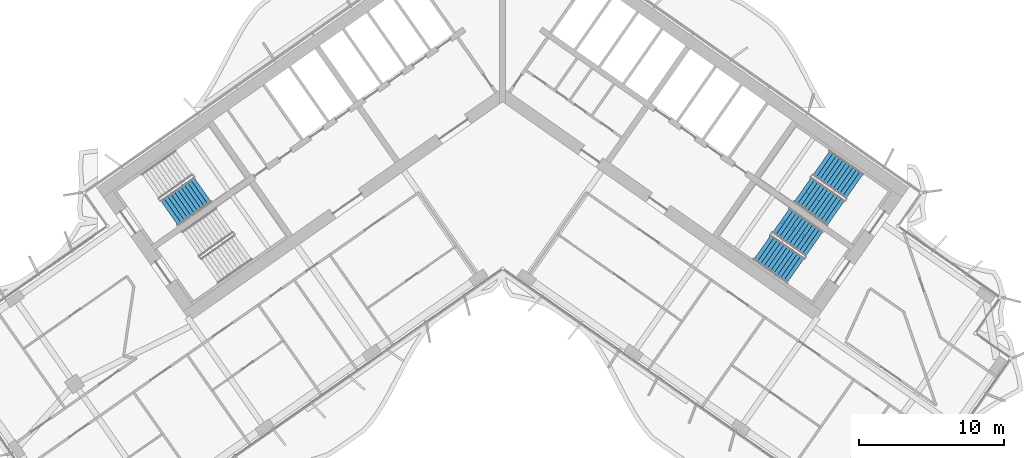
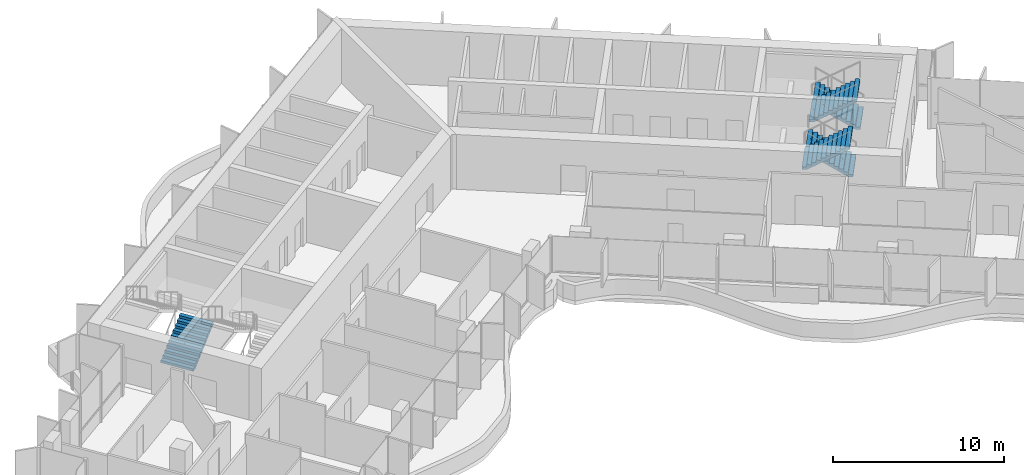
# One storey, part 18 of 23: 5 stair flights, 3 elements without a shape of their own.
"""IFC4 building model written with IfcOpenShell, lengths in metres."""

from ifc_helpers import new_model, si_unit, direction, frame, origin, place, context, subcontext, project, spatial, polyline, outline, extrude, material, type_object, element, aggregate, save


model = new_model("IFC4")

# Units and contexts
model_context = context("Model", 3, precision=1e-05, world=origin(), true_north=direction((0.0, 1.0)))
body_context = subcontext(model_context, "Body", "Model", "MODEL_VIEW")
ifc_project = project(units=[si_unit("LENGTHUNIT", "METRE"), si_unit("AREAUNIT", "SQUARE_METRE"), si_unit("VOLUMEUNIT", "CUBIC_METRE"), si_unit("PLANEANGLEUNIT", "RADIAN"), si_unit("MASSUNIT", "GRAM", prefix="KILO")], contexts=[model_context])

# Site, building, storey
site_placement = place(None, origin())
site = spatial("IfcSite", under=ifc_project, at=site_placement, CompositionType="ELEMENT")
building_placement = place(site_placement, origin())
building = spatial("IfcBuilding", under=site, at=building_placement, Name="Tel Ilan Convention Tower", CompositionType="ELEMENT")
storey_placement = place(building_placement, frame((0.0, 0.0, 194.39990234375)))
storey = spatial("IfcBuildingStorey", under=building, at=storey_placement, Name="L45", CompositionType="ELEMENT", Elevation=194.39990234375)

# Stair, stair flight
ifc_material_1 = material(Name="Concrete C40/50", Category="concrete")
stair_type = type_object("IfcStairType", Name="Pressurised Exit Stair 22 risers 177 mm", PredefinedType="HALF_TURN_STAIR", material=ifc_material_1)
stair_1_placement = place(storey_placement, origin())
stair_1 = element("IfcStair", 1, at=stair_1_placement, inside=storey, type_object=stair_type, Name="L45 Pressurised Stair S1", PredefinedType="HALF_TURN_STAIR")
ifc_material_2 = material(Name="Precast Concrete C40/50", Category="concrete")
stair_flight_type = type_object("IfcStairFlightType", Name="Concrete Stair Flight 2100 mm 22 risers 177 mm", PredefinedType="STRAIGHT", material=ifc_material_2)
stair_flight_1_placement = place(storey_placement, frame((-22.9619140625, -8.87548828125, 0.0), z_axis=(0.0, 0.0, 1.0), x_axis=(0.819152044289, 0.573576436351, 0.0)))
stair_flight_1 = element("IfcStairFlight", 2, at=stair_flight_1_placement, type_object=stair_flight_type, Name="S1 flight 1", NumberOfRisers=11, NumberOfTreads=10, PredefinedType="STRAIGHT", RiserHeight=0.177272727, TreadLength=0.28, context=body_context, shape_type="SweptSolid", body=[
    extrude(outline(polyline([(0.0, 0.0), (0.0, 0.17724609375), (0.280029296875, 0.17724609375), (0.280029296875, 0.3544921875), (0.56005859375, 0.3544921875), (0.56005859375, 0.53173828125), (0.840087890625, 0.53173828125), (0.840087890625, 0.708984375), (1.1201171875, 0.708984375), (1.1201171875, 0.886474609375), (1.39990234375, 0.886474609375), (1.39990234375, 1.063720703125), (1.679931640625, 1.063720703125), (1.679931640625, 1.240966796875), (1.9599609375, 1.240966796875), (1.9599609375, 1.418212890625), (2.239990234375, 1.418212890625), (2.239990234375, 1.595458984375), (2.52001953125, 1.595458984375), (2.52001953125, 1.772705078125), (2.800048828125, 1.772705078125), (2.800048828125, 1.949951171875), (2.800048828125, 1.59521484375), (0.2802734375, 0.0), (0.0, 0.0)])), frame((0.0, -0.100341796875, 0.0), z_axis=(0.0, -1.0, 0.0), x_axis=(1.0, 0.0, 0.0)), (0.0, 0.0, 1.0), 0.94970703125),
    extrude(outline(polyline([(0.0, 0.0), (0.0, 0.17724609375), (0.280029296875, 0.17724609375), (0.280029296875, 0.3544921875), (0.56005859375, 0.3544921875), (0.56005859375, 0.53173828125), (0.840087890625, 0.53173828125), (0.840087890625, 0.708984375), (1.1201171875, 0.708984375), (1.1201171875, 0.886474609375), (1.39990234375, 0.886474609375), (1.39990234375, 1.063720703125), (1.679931640625, 1.063720703125), (1.679931640625, 1.240966796875), (1.9599609375, 1.240966796875), (1.9599609375, 1.418212890625), (2.239990234375, 1.418212890625), (2.239990234375, 1.595458984375), (2.52001953125, 1.595458984375), (2.52001953125, 1.772705078125), (2.800048828125, 1.772705078125), (2.800048828125, 1.949951171875), (2.800048828125, 1.59521484375), (0.2802734375, 0.0), (0.0, 0.0)])), frame((0.0, -0.000244140625, 0.0), z_axis=(0.0, -1.0, 0.0), x_axis=(1.0, 0.0, 0.0)), (0.0, 0.0, 1.0), 0.099609375),
    extrude(outline(polyline([(0.0, 0.0), (0.0, 0.17724609375), (0.280029296875, 0.17724609375), (0.280029296875, 0.3544921875), (0.56005859375, 0.3544921875), (0.56005859375, 0.53173828125), (0.840087890625, 0.53173828125), (0.840087890625, 0.708984375), (1.1201171875, 0.708984375), (1.1201171875, 0.886474609375), (1.39990234375, 0.886474609375), (1.39990234375, 1.063720703125), (1.679931640625, 1.063720703125), (1.679931640625, 1.240966796875), (1.9599609375, 1.240966796875), (1.9599609375, 1.418212890625), (2.239990234375, 1.418212890625), (2.239990234375, 1.595458984375), (2.52001953125, 1.595458984375), (2.52001953125, 1.772705078125), (2.800048828125, 1.772705078125), (2.800048828125, 1.949951171875), (2.800048828125, 1.59521484375), (0.2802734375, 0.0), (0.0, 0.0)])), frame((0.0, 0.099853515625, 0.0), z_axis=(0.0, -1.0, 0.0), x_axis=(1.0, 0.0, 0.0)), (0.0, 0.0, 1.0), 0.099609375),
    extrude(outline(polyline([(0.0, 0.0), (0.0, 0.17724609375), (0.280029296875, 0.17724609375), (0.280029296875, 0.3544921875), (0.56005859375, 0.3544921875), (0.56005859375, 0.53173828125), (0.840087890625, 0.53173828125), (0.840087890625, 0.708984375), (1.1201171875, 0.708984375), (1.1201171875, 0.886474609375), (1.39990234375, 0.886474609375), (1.39990234375, 1.063720703125), (1.679931640625, 1.063720703125), (1.679931640625, 1.240966796875), (1.9599609375, 1.240966796875), (1.9599609375, 1.418212890625), (2.239990234375, 1.418212890625), (2.239990234375, 1.595458984375), (2.52001953125, 1.595458984375), (2.52001953125, 1.772705078125), (2.800048828125, 1.772705078125), (2.800048828125, 1.949951171875), (2.800048828125, 1.59521484375), (0.2802734375, 0.0), (0.0, 0.0)])), frame((0.0, 1.050048828125, 0.0), z_axis=(0.0, -1.0, 0.0), x_axis=(1.0, 0.0, 0.0)), (0.0, 0.0, 1.0), 0.94970703125),
])
aggregate(stair_1, [stair_flight_1])

# Stair, stair flights
stair_2_placement = place(storey_placement, origin())
stair_2 = element("IfcStair", 3, at=stair_2_placement, inside=storey, type_object=stair_type, Name="L45 Pressurised Stair S3", PredefinedType="HALF_TURN_STAIR")
stair_flight_2_placement = place(storey_placement, frame((24.25244140625, -7.032470703125, 0.0), z_axis=(0.0, 0.0, 1.0), x_axis=(-0.819152044289, 0.573576436351, 0.0)))
stair_flight_2 = element("IfcStairFlight", 4, at=stair_flight_2_placement, type_object=stair_flight_type, Name="S3 flight 1", NumberOfRisers=11, NumberOfTreads=10, PredefinedType="STRAIGHT", RiserHeight=0.177272727, TreadLength=0.28, context=body_context, shape_type="SweptSolid", body=[
    extrude(outline(polyline([(0.0, 0.0), (0.0, 0.17724609375), (0.280029296875, 0.17724609375), (0.280029296875, 0.3544921875), (0.56005859375, 0.3544921875), (0.56005859375, 0.53173828125), (0.840087890625, 0.53173828125), (0.840087890625, 0.708984375), (1.1201171875, 0.708984375), (1.1201171875, 0.886474609375), (1.39990234375, 0.886474609375), (1.39990234375, 1.063720703125), (1.679931640625, 1.063720703125), (1.679931640625, 1.240966796875), (1.9599609375, 1.240966796875), (1.9599609375, 1.418212890625), (2.239990234375, 1.418212890625), (2.239990234375, 1.595458984375), (2.52001953125, 1.595458984375), (2.52001953125, 1.772705078125), (2.800048828125, 1.772705078125), (2.800048828125, 1.949951171875), (2.800048828125, 1.59521484375), (0.2802734375, 0.0), (0.0, 0.0)])), frame((0.0, -0.100341796875, 0.0), z_axis=(0.0, -1.0, 0.0), x_axis=(1.0, 0.0, 0.0)), (0.0, 0.0, 1.0), 0.94970703125),
    extrude(outline(polyline([(0.0, 0.0), (0.0, 0.17724609375), (0.280029296875, 0.17724609375), (0.280029296875, 0.3544921875), (0.56005859375, 0.3544921875), (0.56005859375, 0.53173828125), (0.840087890625, 0.53173828125), (0.840087890625, 0.708984375), (1.1201171875, 0.708984375), (1.1201171875, 0.886474609375), (1.39990234375, 0.886474609375), (1.39990234375, 1.063720703125), (1.679931640625, 1.063720703125), (1.679931640625, 1.240966796875), (1.9599609375, 1.240966796875), (1.9599609375, 1.418212890625), (2.239990234375, 1.418212890625), (2.239990234375, 1.595458984375), (2.52001953125, 1.595458984375), (2.52001953125, 1.772705078125), (2.800048828125, 1.772705078125), (2.800048828125, 1.949951171875), (2.800048828125, 1.59521484375), (0.2802734375, 0.0), (0.0, 0.0)])), frame((0.0, -0.000244140625, 0.0), z_axis=(0.0, -1.0, 0.0), x_axis=(1.0, 0.0, 0.0)), (0.0, 0.0, 1.0), 0.099609375),
    extrude(outline(polyline([(0.0, 0.0), (0.0, 0.17724609375), (0.280029296875, 0.17724609375), (0.280029296875, 0.3544921875), (0.56005859375, 0.3544921875), (0.56005859375, 0.53173828125), (0.840087890625, 0.53173828125), (0.840087890625, 0.708984375), (1.1201171875, 0.708984375), (1.1201171875, 0.886474609375), (1.39990234375, 0.886474609375), (1.39990234375, 1.063720703125), (1.679931640625, 1.063720703125), (1.679931640625, 1.240966796875), (1.9599609375, 1.240966796875), (1.9599609375, 1.418212890625), (2.239990234375, 1.418212890625), (2.239990234375, 1.595458984375), (2.52001953125, 1.595458984375), (2.52001953125, 1.772705078125), (2.800048828125, 1.772705078125), (2.800048828125, 1.949951171875), (2.800048828125, 1.59521484375), (0.2802734375, 0.0), (0.0, 0.0)])), frame((0.0, 0.099853515625, 0.0), z_axis=(0.0, -1.0, 0.0), x_axis=(1.0, 0.0, 0.0)), (0.0, 0.0, 1.0), 0.099609375),
    extrude(outline(polyline([(0.0, 0.0), (0.0, 0.17724609375), (0.280029296875, 0.17724609375), (0.280029296875, 0.3544921875), (0.56005859375, 0.3544921875), (0.56005859375, 0.53173828125), (0.840087890625, 0.53173828125), (0.840087890625, 0.708984375), (1.1201171875, 0.708984375), (1.1201171875, 0.886474609375), (1.39990234375, 0.886474609375), (1.39990234375, 1.063720703125), (1.679931640625, 1.063720703125), (1.679931640625, 1.240966796875), (1.9599609375, 1.240966796875), (1.9599609375, 1.418212890625), (2.239990234375, 1.418212890625), (2.239990234375, 1.595458984375), (2.52001953125, 1.595458984375), (2.52001953125, 1.772705078125), (2.800048828125, 1.772705078125), (2.800048828125, 1.949951171875), (2.800048828125, 1.59521484375), (0.2802734375, 0.0), (0.0, 0.0)])), frame((0.0, 1.050048828125, 0.0), z_axis=(0.0, -1.0, 0.0), x_axis=(1.0, 0.0, 0.0)), (0.0, 0.0, 1.0), 0.94970703125),
])
stair_flight_3_placement = place(storey_placement, frame((20.668212890625, -7.26953125, 1.9501953125), z_axis=(0.0, 0.0, 1.0), x_axis=(0.819152044289, -0.573576436351, 0.0)))
stair_flight_3 = element("IfcStairFlight", 5, at=stair_flight_3_placement, type_object=stair_flight_type, Name="S3 flight 2", NumberOfRisers=11, NumberOfTreads=10, PredefinedType="STRAIGHT", RiserHeight=0.177272727, TreadLength=0.28, context=body_context, shape_type="SweptSolid", body=[
    extrude(outline(polyline([(0.0, 0.0), (0.0, 0.17724609375), (0.280029296875, 0.17724609375), (0.280029296875, 0.3544921875), (0.56005859375, 0.3544921875), (0.56005859375, 0.53173828125), (0.840087890625, 0.53173828125), (0.840087890625, 0.708984375), (1.1201171875, 0.708984375), (1.1201171875, 0.886474609375), (1.39990234375, 0.886474609375), (1.39990234375, 1.063720703125), (1.679931640625, 1.063720703125), (1.679931640625, 1.240966796875), (1.9599609375, 1.240966796875), (1.9599609375, 1.418212890625), (2.239990234375, 1.418212890625), (2.239990234375, 1.595458984375), (2.52001953125, 1.595458984375), (2.52001953125, 1.772705078125), (2.800048828125, 1.772705078125), (2.800048828125, 1.949951171875), (2.800048828125, 1.59521484375), (0.2802734375, 0.0), (0.0, 0.0)])), frame((0.0, -0.100341796875, 0.0), z_axis=(0.0, -1.0, 0.0), x_axis=(1.0, 0.0, 0.0)), (0.0, 0.0, 1.0), 0.94970703125),
    extrude(outline(polyline([(0.0, 0.0), (0.0, 0.17724609375), (0.280029296875, 0.17724609375), (0.280029296875, 0.3544921875), (0.56005859375, 0.3544921875), (0.56005859375, 0.53173828125), (0.840087890625, 0.53173828125), (0.840087890625, 0.708984375), (1.1201171875, 0.708984375), (1.1201171875, 0.886474609375), (1.39990234375, 0.886474609375), (1.39990234375, 1.063720703125), (1.679931640625, 1.063720703125), (1.679931640625, 1.240966796875), (1.9599609375, 1.240966796875), (1.9599609375, 1.418212890625), (2.239990234375, 1.418212890625), (2.239990234375, 1.595458984375), (2.52001953125, 1.595458984375), (2.52001953125, 1.772705078125), (2.800048828125, 1.772705078125), (2.800048828125, 1.949951171875), (2.800048828125, 1.59521484375), (0.2802734375, 0.0), (0.0, 0.0)])), frame((0.0, -0.000244140625, 0.0), z_axis=(0.0, -1.0, 0.0), x_axis=(1.0, 0.0, 0.0)), (0.0, 0.0, 1.0), 0.099609375),
    extrude(outline(polyline([(0.0, 0.0), (0.0, 0.17724609375), (0.280029296875, 0.17724609375), (0.280029296875, 0.3544921875), (0.56005859375, 0.3544921875), (0.56005859375, 0.53173828125), (0.840087890625, 0.53173828125), (0.840087890625, 0.708984375), (1.1201171875, 0.708984375), (1.1201171875, 0.886474609375), (1.39990234375, 0.886474609375), (1.39990234375, 1.063720703125), (1.679931640625, 1.063720703125), (1.679931640625, 1.240966796875), (1.9599609375, 1.240966796875), (1.9599609375, 1.418212890625), (2.239990234375, 1.418212890625), (2.239990234375, 1.595458984375), (2.52001953125, 1.595458984375), (2.52001953125, 1.772705078125), (2.800048828125, 1.772705078125), (2.800048828125, 1.949951171875), (2.800048828125, 1.59521484375), (0.2802734375, 0.0), (0.0, 0.0)])), frame((0.0, 0.099853515625, 0.0), z_axis=(0.0, -1.0, 0.0), x_axis=(1.0, 0.0, 0.0)), (0.0, 0.0, 1.0), 0.099609375),
    extrude(outline(polyline([(0.0, 0.0), (0.0, 0.17724609375), (0.280029296875, 0.17724609375), (0.280029296875, 0.3544921875), (0.56005859375, 0.3544921875), (0.56005859375, 0.53173828125), (0.840087890625, 0.53173828125), (0.840087890625, 0.708984375), (1.1201171875, 0.708984375), (1.1201171875, 0.886474609375), (1.39990234375, 0.886474609375), (1.39990234375, 1.063720703125), (1.679931640625, 1.063720703125), (1.679931640625, 1.240966796875), (1.9599609375, 1.240966796875), (1.9599609375, 1.418212890625), (2.239990234375, 1.418212890625), (2.239990234375, 1.595458984375), (2.52001953125, 1.595458984375), (2.52001953125, 1.772705078125), (2.800048828125, 1.772705078125), (2.800048828125, 1.949951171875), (2.800048828125, 1.59521484375), (0.2802734375, 0.0), (0.0, 0.0)])), frame((0.0, 1.050048828125, 0.0), z_axis=(0.0, -1.0, 0.0), x_axis=(1.0, 0.0, 0.0)), (0.0, 0.0, 1.0), 0.94970703125),
])
aggregate(stair_2, [stair_flight_2, stair_flight_3])

stair_3_placement = place(storey_placement, origin())
stair_3 = element("IfcStair", 6, at=stair_3_placement, inside=storey, type_object=stair_type, Name="L45 Pressurised Stair S4", PredefinedType="HALF_TURN_STAIR")
stair_flight_4_placement = place(storey_placement, frame((21.470458984375, -11.00537109375, 0.0), z_axis=(0.0, 0.0, 1.0), x_axis=(-0.819152044289, 0.573576436351, 0.0)))
stair_flight_4 = element("IfcStairFlight", 7, at=stair_flight_4_placement, type_object=stair_flight_type, Name="S4 flight 1", NumberOfRisers=11, NumberOfTreads=10, PredefinedType="STRAIGHT", RiserHeight=0.177272727, TreadLength=0.28, context=body_context, shape_type="SweptSolid", body=[
    extrude(outline(polyline([(0.0, 0.0), (0.0, 0.17724609375), (0.280029296875, 0.17724609375), (0.280029296875, 0.3544921875), (0.56005859375, 0.3544921875), (0.56005859375, 0.53173828125), (0.840087890625, 0.53173828125), (0.840087890625, 0.708984375), (1.1201171875, 0.708984375), (1.1201171875, 0.886474609375), (1.39990234375, 0.886474609375), (1.39990234375, 1.063720703125), (1.679931640625, 1.063720703125), (1.679931640625, 1.240966796875), (1.9599609375, 1.240966796875), (1.9599609375, 1.418212890625), (2.239990234375, 1.418212890625), (2.239990234375, 1.595458984375), (2.52001953125, 1.595458984375), (2.52001953125, 1.772705078125), (2.800048828125, 1.772705078125), (2.800048828125, 1.949951171875), (2.800048828125, 1.59521484375), (0.2802734375, 0.0), (0.0, 0.0)])), frame((0.0, -0.100341796875, 0.0), z_axis=(0.0, -1.0, 0.0), x_axis=(1.0, 0.0, 0.0)), (0.0, 0.0, 1.0), 0.94970703125),
    extrude(outline(polyline([(0.0, 0.0), (0.0, 0.17724609375), (0.280029296875, 0.17724609375), (0.280029296875, 0.3544921875), (0.56005859375, 0.3544921875), (0.56005859375, 0.53173828125), (0.840087890625, 0.53173828125), (0.840087890625, 0.708984375), (1.1201171875, 0.708984375), (1.1201171875, 0.886474609375), (1.39990234375, 0.886474609375), (1.39990234375, 1.063720703125), (1.679931640625, 1.063720703125), (1.679931640625, 1.240966796875), (1.9599609375, 1.240966796875), (1.9599609375, 1.418212890625), (2.239990234375, 1.418212890625), (2.239990234375, 1.595458984375), (2.52001953125, 1.595458984375), (2.52001953125, 1.772705078125), (2.800048828125, 1.772705078125), (2.800048828125, 1.949951171875), (2.800048828125, 1.59521484375), (0.2802734375, 0.0), (0.0, 0.0)])), frame((0.0, -0.000244140625, 0.0), z_axis=(0.0, -1.0, 0.0), x_axis=(1.0, 0.0, 0.0)), (0.0, 0.0, 1.0), 0.099609375),
    extrude(outline(polyline([(0.0, 0.0), (0.0, 0.17724609375), (0.280029296875, 0.17724609375), (0.280029296875, 0.3544921875), (0.56005859375, 0.3544921875), (0.56005859375, 0.53173828125), (0.840087890625, 0.53173828125), (0.840087890625, 0.708984375), (1.1201171875, 0.708984375), (1.1201171875, 0.886474609375), (1.39990234375, 0.886474609375), (1.39990234375, 1.063720703125), (1.679931640625, 1.063720703125), (1.679931640625, 1.240966796875), (1.9599609375, 1.240966796875), (1.9599609375, 1.418212890625), (2.239990234375, 1.418212890625), (2.239990234375, 1.595458984375), (2.52001953125, 1.595458984375), (2.52001953125, 1.772705078125), (2.800048828125, 1.772705078125), (2.800048828125, 1.949951171875), (2.800048828125, 1.59521484375), (0.2802734375, 0.0), (0.0, 0.0)])), frame((0.0, 0.099853515625, 0.0), z_axis=(0.0, -1.0, 0.0), x_axis=(1.0, 0.0, 0.0)), (0.0, 0.0, 1.0), 0.099609375),
    extrude(outline(polyline([(0.0, 0.0), (0.0, 0.17724609375), (0.280029296875, 0.17724609375), (0.280029296875, 0.3544921875), (0.56005859375, 0.3544921875), (0.56005859375, 0.53173828125), (0.840087890625, 0.53173828125), (0.840087890625, 0.708984375), (1.1201171875, 0.708984375), (1.1201171875, 0.886474609375), (1.39990234375, 0.886474609375), (1.39990234375, 1.063720703125), (1.679931640625, 1.063720703125), (1.679931640625, 1.240966796875), (1.9599609375, 1.240966796875), (1.9599609375, 1.418212890625), (2.239990234375, 1.418212890625), (2.239990234375, 1.595458984375), (2.52001953125, 1.595458984375), (2.52001953125, 1.772705078125), (2.800048828125, 1.772705078125), (2.800048828125, 1.949951171875), (2.800048828125, 1.59521484375), (0.2802734375, 0.0), (0.0, 0.0)])), frame((0.0, 1.050048828125, 0.0), z_axis=(0.0, -1.0, 0.0), x_axis=(1.0, 0.0, 0.0)), (0.0, 0.0, 1.0), 0.94970703125),
])
stair_flight_5_placement = place(storey_placement, frame((17.886474609375, -11.242431640625, 1.9501953125), z_axis=(0.0, 0.0, 1.0), x_axis=(0.819152044289, -0.573576436351, 0.0)))
stair_flight_5 = element("IfcStairFlight", 8, at=stair_flight_5_placement, type_object=stair_flight_type, Name="S4 flight 2", NumberOfRisers=11, NumberOfTreads=10, PredefinedType="STRAIGHT", RiserHeight=0.177272727, TreadLength=0.28, context=body_context, shape_type="SweptSolid", body=[
    extrude(outline(polyline([(0.0, 0.0), (0.0, 0.17724609375), (0.280029296875, 0.17724609375), (0.280029296875, 0.3544921875), (0.56005859375, 0.3544921875), (0.56005859375, 0.53173828125), (0.840087890625, 0.53173828125), (0.840087890625, 0.708984375), (1.1201171875, 0.708984375), (1.1201171875, 0.886474609375), (1.39990234375, 0.886474609375), (1.39990234375, 1.063720703125), (1.679931640625, 1.063720703125), (1.679931640625, 1.240966796875), (1.9599609375, 1.240966796875), (1.9599609375, 1.418212890625), (2.239990234375, 1.418212890625), (2.239990234375, 1.595458984375), (2.52001953125, 1.595458984375), (2.52001953125, 1.772705078125), (2.800048828125, 1.772705078125), (2.800048828125, 1.949951171875), (2.800048828125, 1.59521484375), (0.2802734375, 0.0), (0.0, 0.0)])), frame((0.0, -0.100341796875, 0.0), z_axis=(0.0, -1.0, 0.0), x_axis=(1.0, 0.0, 0.0)), (0.0, 0.0, 1.0), 0.94970703125),
    extrude(outline(polyline([(0.0, 0.0), (0.0, 0.17724609375), (0.280029296875, 0.17724609375), (0.280029296875, 0.3544921875), (0.56005859375, 0.3544921875), (0.56005859375, 0.53173828125), (0.840087890625, 0.53173828125), (0.840087890625, 0.708984375), (1.1201171875, 0.708984375), (1.1201171875, 0.886474609375), (1.39990234375, 0.886474609375), (1.39990234375, 1.063720703125), (1.679931640625, 1.063720703125), (1.679931640625, 1.240966796875), (1.9599609375, 1.240966796875), (1.9599609375, 1.418212890625), (2.239990234375, 1.418212890625), (2.239990234375, 1.595458984375), (2.52001953125, 1.595458984375), (2.52001953125, 1.772705078125), (2.800048828125, 1.772705078125), (2.800048828125, 1.949951171875), (2.800048828125, 1.59521484375), (0.2802734375, 0.0), (0.0, 0.0)])), frame((0.0, -0.000244140625, 0.0), z_axis=(0.0, -1.0, 0.0), x_axis=(1.0, 0.0, 0.0)), (0.0, 0.0, 1.0), 0.099609375),
    extrude(outline(polyline([(0.0, 0.0), (0.0, 0.17724609375), (0.280029296875, 0.17724609375), (0.280029296875, 0.3544921875), (0.56005859375, 0.3544921875), (0.56005859375, 0.53173828125), (0.840087890625, 0.53173828125), (0.840087890625, 0.708984375), (1.1201171875, 0.708984375), (1.1201171875, 0.886474609375), (1.39990234375, 0.886474609375), (1.39990234375, 1.063720703125), (1.679931640625, 1.063720703125), (1.679931640625, 1.240966796875), (1.9599609375, 1.240966796875), (1.9599609375, 1.418212890625), (2.239990234375, 1.418212890625), (2.239990234375, 1.595458984375), (2.52001953125, 1.595458984375), (2.52001953125, 1.772705078125), (2.800048828125, 1.772705078125), (2.800048828125, 1.949951171875), (2.800048828125, 1.59521484375), (0.2802734375, 0.0), (0.0, 0.0)])), frame((0.0, 0.099853515625, 0.0), z_axis=(0.0, -1.0, 0.0), x_axis=(1.0, 0.0, 0.0)), (0.0, 0.0, 1.0), 0.099609375),
    extrude(outline(polyline([(0.0, 0.0), (0.0, 0.17724609375), (0.280029296875, 0.17724609375), (0.280029296875, 0.3544921875), (0.56005859375, 0.3544921875), (0.56005859375, 0.53173828125), (0.840087890625, 0.53173828125), (0.840087890625, 0.708984375), (1.1201171875, 0.708984375), (1.1201171875, 0.886474609375), (1.39990234375, 0.886474609375), (1.39990234375, 1.063720703125), (1.679931640625, 1.063720703125), (1.679931640625, 1.240966796875), (1.9599609375, 1.240966796875), (1.9599609375, 1.418212890625), (2.239990234375, 1.418212890625), (2.239990234375, 1.595458984375), (2.52001953125, 1.595458984375), (2.52001953125, 1.772705078125), (2.800048828125, 1.772705078125), (2.800048828125, 1.949951171875), (2.800048828125, 1.59521484375), (0.2802734375, 0.0), (0.0, 0.0)])), frame((0.0, 1.050048828125, 0.0), z_axis=(0.0, -1.0, 0.0), x_axis=(1.0, 0.0, 0.0)), (0.0, 0.0, 1.0), 0.94970703125),
])
aggregate(stair_3, [stair_flight_4, stair_flight_5])

save(model, "model.ifc")
